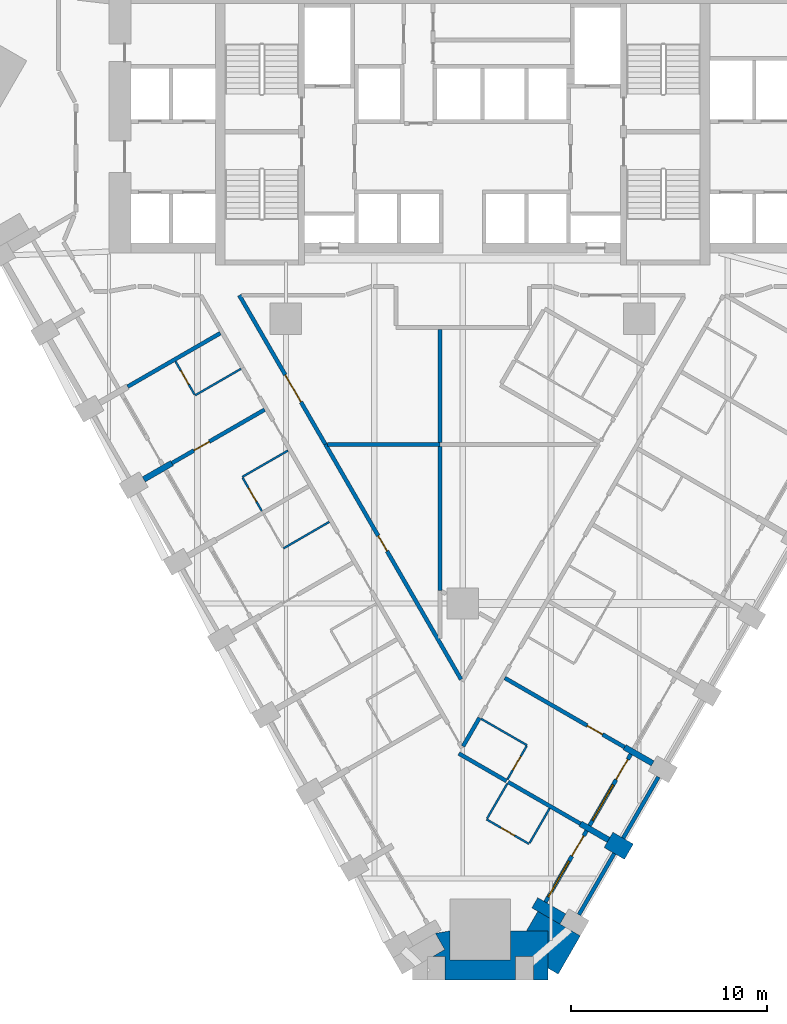
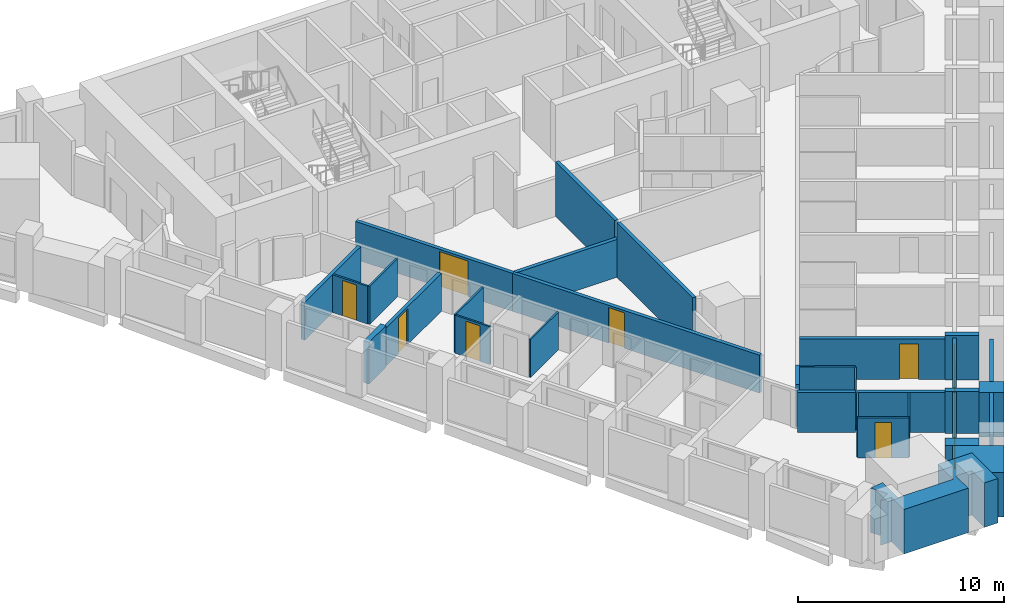
# One storey, part 4 of 12: 32 walls, 10 doors, 2 windows, 12 openings.
"""IFC4 building model written with IfcOpenShell, lengths in metres."""

import ifcopenshell
import ifcopenshell.guid

model = None  # the IFC model being written
_history = None  # IfcOwnerHistory: only IFC2X3 demands one
_inside = {}  # id of a spatial element -> (the spatial element, [elements in it])
_under = {}  # id of a project, library or spatial element -> (it, [spatial elements below it])
_declared = {}  # id of a project -> (the project, [libraries it declares])
_typed = {}  # id of a type object -> (the type object, [elements of that type])
_made_of = {}  # id of a material, layer set ... -> (it, [elements and type objects made of it])


def new_model(schema):
    """Start an empty IFC model of exactly this schema.

    Asked for "IFC4X3", IfcOpenShell would pick the latest addendum, in which some entities
    have other attributes; the version numbers below select the first issue.
    IFC2X3 requires an IfcOwnerHistory on every rooted entity: one is made here for all.
    """
    global model, _history
    if schema == "IFC4X3":
        model = ifcopenshell.file(schema_version=(4, 3, 0, 0))
    else:
        model = ifcopenshell.file(schema=schema)
    _inside.clear()
    _under.clear()
    _declared.clear()
    _typed.clear()
    _made_of.clear()
    _history = None
    if model.schema == "IFC2X3":
        org = make("IfcOrganization", Name="unknown")
        user = make(
            "IfcPersonAndOrganization",
            ThePerson=make("IfcPerson", FamilyName="unknown"),
            TheOrganization=org,
        )
        app = make(
            "IfcApplication",
            ApplicationDeveloper=org,
            Version="unknown",
            ApplicationFullName="unknown",
            ApplicationIdentifier="unknown",
        )
        _history = make(
            "IfcOwnerHistory",
            OwningUser=user,
            OwningApplication=app,
            ChangeAction="ADDED",
            CreationDate=0,
        )
    return model


def make(cls, **values):
    """One entity of the class cls with the attributes given. An attribute that is None is left unset."""
    return model.create_entity(
        cls, **{name: value for name, value in values.items() if value is not None}
    )


def rooted(cls, **values):
    """An entity with a GlobalId (a new one), such as an element, a storey or a relation."""
    return make(cls, GlobalId=ifcopenshell.guid.new(), OwnerHistory=_history, **values)


def si_unit(unit_type, name, prefix=None):
    """IfcSIUnit, for example si_unit("LENGTHUNIT", "METRE", prefix="MILLI")."""
    return make("IfcSIUnit", UnitType=unit_type, Prefix=prefix, Name=name)


def assignment(units):
    """IfcUnitAssignment: the units of a project."""
    return None if units is None else make("IfcUnitAssignment", Units=units)


def point(xyz):
    """IfcCartesianPoint."""
    return None if xyz is None else make("IfcCartesianPoint", Coordinates=xyz)


def direction(xyz):
    """IfcDirection."""
    return None if xyz is None else make("IfcDirection", DirectionRatios=xyz)


def frame(location, z_axis=None, x_axis=None):
    """IfcAxis2Placement3D, a coordinate frame: its origin and axes. An axis left out is left unset."""
    return make(
        "IfcAxis2Placement3D",
        Location=point(location),
        Axis=direction(z_axis),
        RefDirection=direction(x_axis),
    )


def frame_2d(location, x_axis=None):
    """IfcAxis2Placement2D, a coordinate frame in the plane: its origin and x axis."""
    return make(
        "IfcAxis2Placement2D", Location=point(location), RefDirection=direction(x_axis)
    )


def origin():
    """The frame at (0, 0, 0) with its axes left unset."""
    return frame((0.0, 0.0, 0.0))


def place(relative_to, where):
    """IfcLocalPlacement: puts the frame where relative to a parent placement (None: the world)."""
    return make(
        "IfcLocalPlacement", PlacementRelTo=relative_to, RelativePlacement=where
    )


def context(
    kind, dimensions, precision=None, world=None, true_north=None, identifier=None
):
    """IfcGeometricRepresentationContext, for example the 3D "Model" context."""
    return make(
        "IfcGeometricRepresentationContext",
        ContextIdentifier=identifier,
        ContextType=kind,
        CoordinateSpaceDimension=dimensions,
        Precision=precision,
        WorldCoordinateSystem=world,
        TrueNorth=true_north,
    )


def subcontext(parent, identifier, kind, view, scale=None):
    """IfcGeometricRepresentationSubContext, for example "Body" below "Model"."""
    return make(
        "IfcGeometricRepresentationSubContext",
        ContextIdentifier=identifier,
        ContextType=kind,
        ParentContext=parent,
        TargetScale=scale,
        TargetView=view,
    )


def project(units=None, contexts=None):
    """IfcProject with its units and contexts."""
    return rooted(
        "IfcProject",
        Name="project",
        RepresentationContexts=contexts,
        UnitsInContext=assignment(units),
    )


def spatial(cls, under=None, at=None, **own):
    """A site, building, storey or space (cls), placed at a placement, below another one or the project."""
    s = rooted(cls, ObjectPlacement=at, **own)
    if under is not None:
        _under.setdefault(under.id(), (under, []))[1].append(s)
    return s


def polyline(points):
    """IfcPolyline through the points."""
    return make("IfcPolyline", Points=[point(p) for p in points])


def profile(cls, at=None, kind="AREA", **sizes):
    """A parametric profile (cls). Its sizes go by their IFC names, for example OverallWidth=200.0."""
    return make(cls, ProfileType=kind, Position=at, **sizes)


def rectangle(**sizes):
    """IfcRectangleProfileDef."""
    return profile("IfcRectangleProfileDef", **sizes)


def outline(outer, holes=None, kind="AREA"):
    """IfcArbitraryClosedProfileDef: a profile drawn as a closed curve; with holes, ...WithVoids."""
    if holes is None:
        return make("IfcArbitraryClosedProfileDef", ProfileType=kind, OuterCurve=outer)
    return make(
        "IfcArbitraryProfileDefWithVoids",
        ProfileType=kind,
        OuterCurve=outer,
        InnerCurves=holes,
    )


def extrude(swept, where, along, depth):
    """IfcExtrudedAreaSolid: the profile swept, set in the frame where, extruded along a direction by depth."""
    return make(
        "IfcExtrudedAreaSolid",
        SweptArea=swept,
        Position=where,
        ExtrudedDirection=direction(along),
        Depth=depth,
    )


def shape(context_of_items, identifier, shape_type, items):
    """IfcShapeRepresentation: the items that make up one representation, for example the "Body"."""
    return make(
        "IfcShapeRepresentation",
        ContextOfItems=context_of_items,
        RepresentationIdentifier=identifier,
        RepresentationType=shape_type,
        Items=items,
    )


def material(Name=None, Category=None):
    """IfcMaterial."""
    return make("IfcMaterial", Name=Name, Category=Category)


def layer(
    of_material, thickness, ventilated=None, Name=None, Category=None, Priority=None
):
    """IfcMaterialLayer: one layer of a wall or slab, of a material (None: an air gap)."""
    return make(
        "IfcMaterialLayer",
        Material=of_material,
        LayerThickness=thickness,
        IsVentilated=ventilated,
        Name=Name,
        Category=Category,
        Priority=Priority,
    )


def layer_set(layers, Name=None):
    """IfcMaterialLayerSet."""
    return make("IfcMaterialLayerSet", MaterialLayers=layers, LayerSetName=Name)


def made_of(thing, what):
    """Note that an element or type object is made of a material, layer set ...; save() writes the relation."""
    if what is not None:
        _made_of.setdefault(what.id(), (what, []))[1].append(thing)
    return thing


def type_object(cls, material=None, **own):
    """A type object (cls), such as IfcWallType, which elements share."""
    return made_of(rooted(cls, **own), material)


def element(
    cls,
    number,
    at=None,
    inside=None,
    cuts=None,
    type_object=None,
    material=None,
    context=None,
    identifier="Body",
    shape_type=None,
    held_by="IfcProductDefinitionShape",
    body=None,
    shapes=None,
    **own,
):
    """One element of the class cls, such as IfcWall. Its Tag is "e" and its number.

    at: its placement. inside: the storey or other place that contains it. cuts: it is an
    opening in that element (IfcRelVoidsElement). A single representation is given by context,
    identifier, shape_type and body (its items); several are given by shapes. held_by: the class
    of the entity that holds the representations. save() writes the other relations.
    """
    e = rooted(cls, Tag="e%d" % number, ObjectPlacement=at, **own)
    if body is not None:
        shapes = [shape(context, identifier, shape_type, body)]
    if shapes is not None:
        e.Representation = make(held_by, Representations=shapes)
    if inside is not None:
        _inside.setdefault(inside.id(), (inside, []))[1].append(e)
    if cuts is not None:
        rooted(
            "IfcRelVoidsElement", RelatingBuildingElement=cuts, RelatedOpeningElement=e
        )
    if type_object is not None:
        _typed.setdefault(type_object.id(), (type_object, []))[1].append(e)
    return made_of(e, material)


def fill(opening, filler):
    """IfcRelFillsElement: the door or window that sits in an opening."""
    return rooted(
        "IfcRelFillsElement",
        RelatingOpeningElement=opening,
        RelatedBuildingElement=filler,
    )


def aggregate(whole, parts):
    """IfcRelAggregates: a whole, such as a stair, and the parts it consists of."""
    return rooted("IfcRelAggregates", RelatingObject=whole, RelatedObjects=parts)


def save(model, path):
    """Write the relations noted so far, then the file.

    IfcRelAggregates (storeys below a building ...), IfcRelContainedInSpatialStructure (elements
    in a storey), IfcRelDefinesByType, IfcRelAssociatesMaterial and IfcRelDeclares: one each for
    every whole, place, type object, material and project.
    """
    for whole, parts in _under.values():
        aggregate(whole, parts)
    for where, things in _inside.values():
        rooted(
            "IfcRelContainedInSpatialStructure",
            RelatedElements=things,
            RelatingStructure=where,
        )
    for kind, things in _typed.values():
        rooted("IfcRelDefinesByType", RelatedObjects=things, RelatingType=kind)
    for what, things in _made_of.values():
        rooted("IfcRelAssociatesMaterial", RelatedObjects=things, RelatingMaterial=what)
    for by, libraries in _declared.values():
        rooted("IfcRelDeclares", RelatingContext=by, RelatedDefinitions=libraries)
    model.write(path)


model = new_model("IFC4")

# Units and contexts
model_context = context("Model", 3, precision=1e-05, world=origin(), true_north=direction((0.0, 1.0)))
body_context = subcontext(model_context, "Body", "Model", "MODEL_VIEW")
ifc_project = project(units=[si_unit("LENGTHUNIT", "METRE"), si_unit("AREAUNIT", "SQUARE_METRE"), si_unit("VOLUMEUNIT", "CUBIC_METRE"), si_unit("PLANEANGLEUNIT", "RADIAN"), si_unit("MASSUNIT", "GRAM", prefix="KILO")], contexts=[model_context])

# Site, building, storey
site_placement = place(None, origin())
site = spatial("IfcSite", under=ifc_project, at=site_placement, CompositionType="ELEMENT")
building_placement = place(site_placement, origin())
building = spatial("IfcBuilding", under=site, at=building_placement, Name="Calabash Gate Tower", CompositionType="ELEMENT")
storey_placement = place(building_placement, frame((0.0, 0.0, 76.60009765625)))
storey = spatial("IfcBuildingStorey", under=building, at=storey_placement, Name="L15", CompositionType="ELEMENT", Elevation=76.60009765625)

# Walls
ifc_material_1 = material(Name="Terracotta brick masonry, exposed face", Category="masonry")
ifc_layer_1 = layer(ifc_material_1, 2.5)
ifc_layer_set_1 = layer_set([ifc_layer_1], Name="Brick corner mass wall 2500")
wall_type_1 = type_object("IfcWallType", Name="Brick corner mass wall 2500", PredefinedType="SOLIDWALL", material=ifc_layer_set_1)
wall_1_placement = place(storey_placement, origin())
element("IfcWall", 1, at=wall_1_placement, inside=storey, type_object=wall_type_1, Name="Brick corner pier S04 2bb", PredefinedType="SOLIDWALL", context=body_context, shape_type="SweptSolid", body=[
    extrude(outline(polyline([(-0.653076171875, -30.14599609375), (-0.653076171875, -28.673828125), (-1.388671875, -28.799560546875), (-0.912841796875, -29.6240234375), (-1.51904296875, -29.97412109375), (-0.903076171875, -29.97412109375), (-0.903076171875, -31.173828125), (2.697021484375, -31.173828125), (2.697021484375, -29.97412109375), (3.596923828125, -29.97412109375), (3.596923828125, -31.173828125), (4.34814453125, -31.173828125), (4.34814453125, -28.673828125), (2.447021484375, -28.673828125), (2.447021484375, -30.14599609375), (-0.653076171875, -30.14599609375)])), origin(), (0.0, 0.0, 1.0), 2.6298828125),
])
wall_2_placement = place(storey_placement, origin())
element("IfcWall", 2, at=wall_2_placement, inside=storey, type_object=wall_type_1, Name="Brick corner pier S04 2c", PredefinedType="SOLIDWALL", context=body_context, shape_type="SweptSolid", body=[
    extrude(outline(polyline([(5.99169921875, -28.9267578125), (3.8271484375, -27.676513671875), (3.251220703125, -28.673828125), (4.34814453125, -28.673828125), (4.34814453125, -30.573974609375), (4.86767578125, -30.8740234375), (5.99169921875, -28.9267578125)])), origin(), (0.0, 0.0, 1.0), 2.6298828125),
])
ifc_material_2 = material(Name="Terracotta brick masonry, exposed face", Category="masonry")
ifc_layer_2 = layer(ifc_material_2, 1.199951171875)
ifc_layer_set_2 = layer_set([ifc_layer_2], Name="Brick end wall 1200")
wall_type_2 = type_object("IfcWallType", Name="Brick end wall 1200", PredefinedType="SOLIDWALL", material=ifc_layer_set_2)
wall_3_placement = place(storey_placement, frame((8.467041015625, -24.6396484375, 0.0), z_axis=(0.0, 0.0, 1.0), x_axis=(-0.865955154139, 0.50012165622, 0.0)))
element("IfcWall", 3, at=wall_3_placement, inside=storey, type_object=wall_type_2, Name="Brick pier S04 SE2.1", PredefinedType="SOLIDWALL", context=body_context, shape_type="SweptSolid", body=[
    extrude(rectangle(XDim=1.199951171875, YDim=0.89990234375, at=frame_2d((0.60009765625, 0.0))), origin(), (0.0, 0.0, 1.0), 2.6298828125),
])
ifc_material_3 = material(Name="Terracotta brick masonry, exposed face", Category="masonry")
ifc_layer_3 = layer(ifc_material_3, 0.300048828125)
ifc_layer_set_3 = layer_set([ifc_layer_3], Name="Brick loggia cheek wall 300")
wall_type_3 = type_object("IfcWallType", Name="Brick loggia cheek wall 300", PredefinedType="SOLIDWALL", material=ifc_layer_set_3)
wall_4_placement = place(storey_placement, frame((-16.239501953125, -5.67724609375, 0.0), z_axis=(0.0, 0.0, 1.0), x_axis=(0.866040211805, 0.499974350878, 0.0)))
element("IfcWall", 4, at=wall_4_placement, inside=storey, type_object=wall_type_3, Name="Loggia cheek S04 SW0.3", PredefinedType="SOLIDWALL", context=body_context, shape_type="SweptSolid", body=[
    extrude(rectangle(XDim=1.64990234375, YDim=0.300048828125, at=frame_2d((0.824951171875, 0.0))), origin(), (0.0, 0.0, 1.0), 2.473388671875),
])
wall_5_placement = place(storey_placement, frame((5.1025390625, -28.066650390625, 0.0), z_axis=(0.0, 0.0, 1.0), x_axis=(-0.866003217194, 0.500038426333, 0.0)))
element("IfcWall", 5, at=wall_5_placement, inside=storey, type_object=wall_type_3, Name="Loggia cheek S04 SE2.0", PredefinedType="SOLIDWALL", context=body_context, shape_type="SweptSolid", body=[
    extrude(rectangle(XDim=1.649658203125, YDim=0.60009765625, at=frame_2d((0.82470703125, 0.0))), origin(), (0.0, 0.0, 1.0), 2.64990234375),
])
wall_6_placement = place(storey_placement, frame((7.427978515625, -24.03955078125, 0.0), z_axis=(0.0, 0.0, 1.0), x_axis=(-0.866040211805, 0.499974350878, 0.0)))
element("IfcWall", 6, at=wall_6_placement, inside=storey, type_object=wall_type_3, Name="Loggia cheek S04 SE2.1", PredefinedType="SOLIDWALL", context=body_context, shape_type="SweptSolid", body=[
    extrude(rectangle(XDim=1.64990234375, YDim=0.300048828125, at=frame_2d((0.824951171875, 0.0))), origin(), (0.0, 0.0, 1.0), 2.473388671875),
])
wall_7_placement = place(storey_placement, frame((9.677734375, -20.142578125, 0.0), z_axis=(0.0, 0.0, 1.0), x_axis=(-0.866003217194, 0.500038426333, 0.0)))
element("IfcWall", 7, at=wall_7_placement, inside=storey, type_object=wall_type_3, Name="Loggia cheek S04 SE2.2", PredefinedType="SOLIDWALL", context=body_context, shape_type="SweptSolid", body=[
    extrude(rectangle(XDim=1.649658203125, YDim=0.300048828125, at=frame_2d((0.82470703125, 0.0))), origin(), (0.0, 0.0, 1.0), 2.6279296875),
])
ifc_material_4 = material(Name="Gypsum board on steel studs, mineral wool", Category="steel")
ifc_layer_4 = layer(ifc_material_4, 0.10009765625)
ifc_layer_set_4 = layer_set([ifc_layer_4], Name="Partition 100 gypsum board")
wall_type_4 = type_object("IfcWallType", Name="Partition 100 gypsum board", PredefinedType="PARTITIONING", material=ifc_layer_set_4)
wall_8_placement = place(storey_placement, frame((3.408203125, -24.2021484375, 0.0), z_axis=(0.0, 0.0, 1.0), x_axis=(0.499303169309, 0.866427345551, 0.0)))
element("IfcWall", 8, at=wall_8_placement, inside=storey, type_object=wall_type_4, Name="Partition", PredefinedType="PARTITIONING", context=body_context, shape_type="SweptSolid", body=[
    extrude(rectangle(XDim=2.05029296875, YDim=0.10009765625, at=frame_2d((1.025146484375, 0.0))), origin(), (0.0, 0.0, 1.0), 2.384033203125),
])

# Wall, opening, door
wall_9_placement = place(storey_placement, frame((1.218017578125, -22.995361328125, 0.0), z_axis=(0.0, 0.0, 1.0), x_axis=(0.866047370643, -0.499961950354, 0.0)))
wall_9 = element("IfcWall", 9, at=wall_9_placement, inside=storey, type_object=wall_type_4, Name="Partition", PredefinedType="PARTITIONING", context=body_context, shape_type="SweptSolid", body=[
    extrude(rectangle(XDim=2.500244140625, YDim=0.10009765625, at=frame_2d((1.25, 0.0))), origin(), (0.0, 0.0, 1.0), 2.384033203125),
])
opening_1_placement = place(wall_9_placement, frame((0.85009765625, 0.0, 0.0)))
opening_1 = element("IfcOpeningElement", 10, at=opening_1_placement, cuts=wall_9, Name="Opening 15-17-031", PredefinedType="OPENING", context=body_context, shape_type="SweptSolid", body=[
    extrude(rectangle(XDim=0.800048828125, YDim=2.10009765625, at=frame_2d((0.39990234375, 1.050048828125))), frame((0.0, 0.06005859375, 0.0), z_axis=(0.0, -1.0, 0.0), x_axis=(1.0, 0.0, 0.0)), (0.0, 0.0, 1.0), 0.1201171875),
])
ifc_material_5 = material(Name="Painted timber door", Category="wood")
door_type_1 = type_object("IfcDoorType", Name="GD5 En-suite door 800x2100", OperationType="NOTDEFINED", PredefinedType="DOOR", material=ifc_material_5)
door_1_placement = place(opening_1_placement, origin())
door_1 = element("IfcDoor", 11, at=door_1_placement, inside=storey, type_object=door_type_1, Name="En-suite door", OperationType="SINGLE_SWING_RIGHT", OverallHeight=2.10009765625, OverallWidth=0.800048828125, PredefinedType="DOOR", context=body_context, shape_type="SweptSolid", body=[
    extrude(rectangle(XDim=0.800048828125, YDim=2.10009765625, at=frame_2d((0.39990234375, 1.050048828125))), frame((0.0, 0.02490234375, 0.0), z_axis=(0.0, -1.0, 0.0), x_axis=(1.0, 0.0, 0.0)), (0.0, 0.0, 1.0), 0.050048828125),
])
fill(opening_1, door_1)

# Wall
wall_10_placement = place(storey_placement, frame((1.2431640625, -22.9521484375, 0.0), z_axis=(0.0, 0.0, 1.0), x_axis=(0.500646589026, 0.865651773461, 0.0)))
element("IfcWall", 12, at=wall_10_placement, inside=storey, type_object=wall_type_4, Name="Partition", PredefinedType="PARTITIONING", context=body_context, shape_type="SweptSolid", body=[
    extrude(rectangle(XDim=2.050048828125, YDim=0.10009765625, at=frame_2d((1.02490234375, 0.0))), origin(), (0.0, 0.0, 1.0), 2.384033203125),
])

# Wall, opening, door
wall_11_placement = place(storey_placement, frame((2.2802734375, -20.952392578125, 0.0), z_axis=(0.0, 0.0, 1.0), x_axis=(0.500675951608, 0.865634791053, 0.0)))
wall_11 = element("IfcWall", 13, at=wall_11_placement, inside=storey, type_object=wall_type_4, Name="Partition", PredefinedType="PARTITIONING", context=body_context, shape_type="SweptSolid", body=[
    extrude(rectangle(XDim=1.949951171875, YDim=0.10009765625, at=frame_2d((0.97509765625, 0.0))), origin(), (0.0, 0.0, 1.0), 2.384033203125),
])
opening_2_placement = place(wall_11_placement, frame((0.550048828125, 0.0, 0.0)))
opening_2 = element("IfcOpeningElement", 14, at=opening_2_placement, cuts=wall_11, Name="Opening 15-17-014", PredefinedType="OPENING", context=body_context, shape_type="SweptSolid", body=[
    extrude(rectangle(XDim=0.800048828125, YDim=2.10009765625, at=frame_2d((0.39990234375, 1.050048828125))), frame((0.0, 0.06005859375, 0.0), z_axis=(0.0, -1.0, 0.0), x_axis=(1.0, 0.0, 0.0)), (0.0, 0.0, 1.0), 0.1201171875),
])
door_2_placement = place(opening_2_placement, origin())
door_2 = element("IfcDoor", 15, at=door_2_placement, inside=storey, type_object=door_type_1, Name="En-suite door", OperationType="SINGLE_SWING_LEFT", OverallHeight=2.10009765625, OverallWidth=0.800048828125, PredefinedType="DOOR", context=body_context, shape_type="SweptSolid", body=[
    extrude(rectangle(XDim=0.800048828125, YDim=2.10009765625, at=frame_2d((0.39990234375, 1.050048828125))), frame((0.0, 0.02490234375, 0.0), z_axis=(0.0, -1.0, 0.0), x_axis=(1.0, 0.0, 0.0)), (0.0, 0.0, 1.0), 0.050048828125),
])
fill(opening_2, door_2)

# Walls
wall_12_placement = place(storey_placement, frame((0.94287109375, -17.87255859375, 0.0), z_axis=(0.0, 0.0, 1.0), x_axis=(0.866339109022, -0.499456252518, 0.0)))
element("IfcWall", 16, at=wall_12_placement, inside=storey, type_object=wall_type_4, Name="Partition", PredefinedType="PARTITIONING", context=body_context, shape_type="SweptSolid", body=[
    extrude(rectangle(XDim=2.69970703125, YDim=0.10009765625, at=frame_2d((1.349853515625, 0.0))), origin(), (0.0, 0.0, 1.0), 2.384033203125),
])
wall_13_placement = place(storey_placement, frame((-9.12890625, -9.193115234375, 0.0), z_axis=(0.0, 0.0, 1.0), x_axis=(0.865671764241, 0.500612022024, 0.0)))
element("IfcWall", 17, at=wall_13_placement, inside=storey, type_object=wall_type_4, Name="Partition", PredefinedType="PARTITIONING", context=body_context, shape_type="SweptSolid", body=[
    extrude(rectangle(XDim=2.69970703125, YDim=0.10009765625, at=frame_2d((1.349853515625, 0.0))), origin(), (0.0, 0.0, 1.0), 2.24169921875),
])

# Wall, opening, door
wall_14_placement = place(storey_placement, frame((-11.2041015625, -5.59912109375, 0.0), z_axis=(0.0, 0.0, 1.0), x_axis=(0.500098182527, -0.865968710655, 0.0)))
wall_14 = element("IfcWall", 18, at=wall_14_placement, inside=storey, type_object=wall_type_4, Name="Partition", PredefinedType="PARTITIONING", context=body_context, shape_type="SweptSolid", body=[
    extrude(rectangle(XDim=1.94970703125, YDim=0.10009765625, at=frame_2d((0.974853515625, 0.0))), origin(), (0.0, 0.0, 1.0), 2.24169921875),
])
opening_3_placement = place(wall_14_placement, frame((0.60009765625, 0.0, 0.0)))
opening_3 = element("IfcOpeningElement", 19, at=opening_3_placement, cuts=wall_14, Name="Opening 15-17-004", PredefinedType="OPENING", context=body_context, shape_type="SweptSolid", body=[
    extrude(rectangle(XDim=0.800048828125, YDim=2.10009765625, at=frame_2d((0.39990234375, 1.050048828125))), frame((0.0, 0.06005859375, 0.0), z_axis=(0.0, -1.0, 0.0), x_axis=(1.0, 0.0, 0.0)), (0.0, 0.0, 1.0), 0.1201171875),
])
door_3_placement = place(opening_3_placement, origin())
door_3 = element("IfcDoor", 20, at=door_3_placement, inside=storey, type_object=door_type_1, Name="En-suite door", OperationType="SINGLE_SWING_RIGHT", OverallHeight=2.10009765625, OverallWidth=0.800048828125, PredefinedType="DOOR", context=body_context, shape_type="SweptSolid", body=[
    extrude(rectangle(XDim=0.800048828125, YDim=2.10009765625, at=frame_2d((0.39990234375, 1.050048828125))), frame((0.0, 0.02490234375, 0.0), z_axis=(0.0, -1.0, 0.0), x_axis=(1.0, 0.0, 0.0)), (0.0, 0.0, 1.0), 0.050048828125),
])
fill(opening_3, door_3)

# Walls
for number, where, z_axis, x_axis, name in (
    (21, (-11.22900390625, -5.5556640625, 0.0), (0.0, 0.0, 1.0), (0.866339109022, 0.499456252518, 0.0), "Partition"),
    (22, (-13.62890625, -1.398681640625, 0.0), (0.0, 0.0, 1.0), (0.86571095196, 0.500544251447, 0.0), "Partition"),
):
    element("IfcWall", number, at=place(storey_placement, frame(where, z_axis=z_axis, x_axis=x_axis)), inside=storey, type_object=wall_type_4, Name=name, PredefinedType="PARTITIONING", context=body_context, shape_type="SweptSolid", body=[
        extrude(rectangle(XDim=2.69970703125, YDim=0.10009765625, at=frame_2d((1.349853515625, 0.0))), origin(), (0.0, 0.0, 1.0), 2.24169921875),
    ])

# Wall, opening, door
wall_15_placement = place(storey_placement, frame((-14.627685546875, 0.333984375, 0.0), z_axis=(0.0, 0.0, 1.0), x_axis=(0.499317740681, -0.866418948224, 0.0)))
wall_15 = element("IfcWall", 23, at=wall_15_placement, inside=storey, type_object=wall_type_4, Name="Partition", PredefinedType="PARTITIONING", context=body_context, shape_type="SweptSolid", body=[
    extrude(rectangle(XDim=1.949951171875, YDim=0.10009765625, at=frame_2d((0.97509765625, 0.0))), origin(), (0.0, 0.0, 1.0), 2.24169921875),
])
opening_4_placement = place(wall_15_placement, frame((0.550048828125, 0.0, 0.0)))
opening_4 = element("IfcOpeningElement", 24, at=opening_4_placement, cuts=wall_15, Name="Opening 15-17-002", PredefinedType="OPENING", context=body_context, shape_type="SweptSolid", body=[
    extrude(rectangle(XDim=0.800048828125, YDim=2.10009765625, at=frame_2d((0.39990234375, 1.050048828125))), frame((0.0, 0.06005859375, 0.0), z_axis=(0.0, -1.0, 0.0), x_axis=(1.0, 0.0, 0.0)), (0.0, 0.0, 1.0), 0.1201171875),
])
door_4_placement = place(opening_4_placement, origin())
door_4 = element("IfcDoor", 25, at=door_4_placement, inside=storey, type_object=door_type_1, Name="En-suite door", OperationType="SINGLE_SWING_LEFT", OverallHeight=2.10009765625, OverallWidth=0.800048828125, PredefinedType="DOOR", context=body_context, shape_type="SweptSolid", body=[
    extrude(rectangle(XDim=0.800048828125, YDim=2.10009765625, at=frame_2d((0.39990234375, 1.050048828125))), frame((0.0, 0.02490234375, 0.0), z_axis=(0.0, -1.0, 0.0), x_axis=(1.0, 0.0, 0.0)), (0.0, 0.0, 1.0), 0.050048828125),
])
fill(opening_4, door_4)

# Walls
ifc_material_6 = material(Name="Gypsum board on steel studs, mineral wool", Category="steel")
ifc_layer_5 = layer(ifc_material_6, 0.199951171875)
ifc_layer_set_5 = layer_set([ifc_layer_5], Name="Partition 200 gypsum board EI 60")
wall_type_5 = type_object("IfcWallType", Name="Partition 200 gypsum board EI 60", PredefinedType="PARTITIONING", material=ifc_layer_set_5)
wall_16_placement = place(storey_placement, frame((2.3173828125, -21.09130859375, 0.0), z_axis=(0.0, 0.0, 1.0), x_axis=(0.866014341725, -0.50001915956, 0.0)))
element("IfcWall", 26, at=wall_16_placement, inside=storey, type_object=wall_type_5, Name="Partition", PredefinedType="PARTITIONING", context=body_context, shape_type="SweptSolid", body=[
    extrude(rectangle(XDim=4.249755859375, YDim=0.199951171875, at=frame_2d((2.125, 0.0))), origin(), (0.0, 0.0, 1.0), 2.384033203125),
])
wall_17_placement = place(storey_placement, frame((-0.193359375, -19.64013671875, 0.0), z_axis=(0.0, 0.0, 1.0), x_axis=(0.866036131362, -0.49998141883, 0.0)))
element("IfcWall", 27, at=wall_17_placement, inside=storey, type_object=wall_type_5, Name="Partition", PredefinedType="PARTITIONING", context=body_context, shape_type="SweptSolid", body=[
    extrude(rectangle(XDim=2.8017578125, YDim=0.199951171875, at=frame_2d((1.40087890625, 0.0))), origin(), (0.0, 0.0, 1.0), 2.384033203125),
])
wall_18_placement = place(storey_placement, frame((0.02099609375, -19.268798828125, 0.0), z_axis=(0.0, 0.0, 1.0), x_axis=(0.501053540398, 0.865416286913, 0.0)))
element("IfcWall", 28, at=wall_18_placement, inside=storey, type_object=wall_type_5, Name="Partition", PredefinedType="PARTITIONING", context=body_context, shape_type="SweptSolid", body=[
    extrude(rectangle(XDim=1.671875, YDim=0.199951171875, at=frame_2d((0.8359375, 0.0))), origin(), (0.0, 0.0, 1.0), 2.473388671875),
])

# Wall, opening, door
wall_19_placement = place(storey_placement, frame((2.14453125, -15.791015625, 0.0), z_axis=(0.0, 0.0, 1.0), x_axis=(0.865906406618, -0.500206052519, 0.0)))
wall_19 = element("IfcWall", 29, at=wall_19_placement, inside=storey, type_object=wall_type_5, Name="Partition", PredefinedType="PARTITIONING", context=body_context, shape_type="SweptSolid", body=[
    extrude(rectangle(XDim=7.0498046875, YDim=0.199951171875, at=frame_2d((3.52490234375, 0.0))), origin(), (0.0, 0.0, 1.0), 2.384033203125),
])
opening_5_placement = place(wall_19_placement, frame((4.849853515625, 0.0, 0.0)))
opening_5 = element("IfcOpeningElement", 30, at=opening_5_placement, cuts=wall_19, Name="Opening 15-17-017", PredefinedType="OPENING", context=body_context, shape_type="SweptSolid", body=[
    extrude(rectangle(XDim=0.89990234375, YDim=2.10009765625, at=frame_2d((0.449951171875, 1.050048828125))), frame((0.0, 0.10986328125, 0.0), z_axis=(0.0, -1.0, 0.0), x_axis=(1.0, 0.0, 0.0)), (0.0, 0.0, 1.0), 0.219970703125),
])
ifc_material_7 = material(Name="Steel fire door set with fire-resisting glazing", Category="steel")
door_type_2 = type_object("IfcDoorType", Name="GD4 Connecting door 900x2100", OperationType="NOTDEFINED", PredefinedType="DOOR", material=ifc_material_7)
door_5_placement = place(opening_5_placement, origin())
door_5 = element("IfcDoor", 31, at=door_5_placement, inside=storey, type_object=door_type_2, Name="Connecting door", OperationType="SINGLE_SWING_RIGHT", OverallHeight=2.10009765625, OverallWidth=0.89990234375, PredefinedType="DOOR", context=body_context, shape_type="SweptSolid", body=[
    extrude(rectangle(XDim=0.89990234375, YDim=2.10009765625, at=frame_2d((0.449951171875, 1.050048828125))), frame((0.0, 0.02490234375, 0.0), z_axis=(0.0, -1.0, 0.0), x_axis=(1.0, 0.0, 0.0)), (0.0, 0.0, 1.0), 0.050048828125),
])
fill(opening_5, door_5)

# Wall
wall_20_placement = place(storey_placement, frame((-1.16162109375, -11.327392578125, 0.0), z_axis=(0.0, 0.0, 1.0), x_axis=(0.0, 1.0, 0.0)))
element("IfcWall", 32, at=wall_20_placement, inside=storey, type_object=wall_type_5, Name="Partition", PredefinedType="PARTITIONING", context=body_context, shape_type="SweptSolid", body=[
    extrude(rectangle(XDim=7.3349609375, YDim=0.199951171875, at=frame_2d((3.66748046875, 0.0))), origin(), (0.0, 0.0, 1.0), 3.22998046875),
])

# Wall, opening, door
wall_21_placement = place(storey_placement, frame((-6.99072265625, -3.892578125, 0.0), z_axis=(0.0, 0.0, 1.0), x_axis=(0.499865112403, -0.86610326717, 0.0)))
wall_21 = element("IfcWall", 33, at=wall_21_placement, inside=storey, type_object=wall_type_5, Name="Partition", PredefinedType="PARTITIONING", context=body_context, shape_type="SweptSolid", body=[
    extrude(rectangle(XDim=13.826904296875, YDim=0.199951171875, at=frame_2d((6.91357421875, 0.0))), origin(), (0.0, 0.0, 1.0), 2.24169921875),
])
opening_6_placement = place(wall_21_placement, frame((5.377197265625, 0.0, 0.0)))
opening_6 = element("IfcOpeningElement", 34, at=opening_6_placement, cuts=wall_21, Name="Opening 15-17-028", PredefinedType="OPENING", context=body_context, shape_type="SweptSolid", body=[
    extrude(rectangle(XDim=0.89990234375, YDim=2.10009765625, at=frame_2d((0.449951171875, 1.050048828125))), frame((0.0, 0.10986328125, 0.0), z_axis=(0.0, -1.0, 0.0), x_axis=(1.0, 0.0, 0.0)), (0.0, 0.0, 1.0), 0.219970703125),
])
ifc_material_8 = material(Name="Steel fire door set with fire-resisting glazing", Category="steel")
door_type_3 = type_object("IfcDoorType", Name="SD3 Store door 900x2100", OperationType="NOTDEFINED", PredefinedType="DOOR", material=ifc_material_8)
door_6_placement = place(opening_6_placement, origin())
door_6 = element("IfcDoor", 35, at=door_6_placement, inside=storey, type_object=door_type_3, Name="Store door", OperationType="SINGLE_SWING_LEFT", OverallHeight=2.10009765625, OverallWidth=0.89990234375, PredefinedType="DOOR", context=body_context, shape_type="SweptSolid", body=[
    extrude(rectangle(XDim=0.89990234375, YDim=2.10009765625, at=frame_2d((0.449951171875, 1.050048828125))), frame((0.0, 0.02490234375, 0.0), z_axis=(0.0, -1.0, 0.0), x_axis=(1.0, 0.0, 0.0)), (0.0, 0.0, 1.0), 0.050048828125),
])
fill(opening_6, door_6)

# Walls
wall_22_placement = place(storey_placement, frame((-6.890869140625, -3.892578125, 0.0), z_axis=(0.0, 0.0, 1.0), x_axis=(1.0, 0.0, 0.0)))
element("IfcWall", 36, at=wall_22_placement, inside=storey, type_object=wall_type_5, Name="Partition", PredefinedType="PARTITIONING", context=body_context, shape_type="SweptSolid", body=[
    extrude(rectangle(XDim=5.727294921875, YDim=0.199951171875, at=frame_2d((2.86376953125, 0.0))), origin(), (0.0, 0.0, 1.0), 2.24169921875),
])
wall_23_placement = place(storey_placement, frame((-1.16162109375, -3.79052734375, 0.0), z_axis=(0.0, 0.0, 1.0), x_axis=(0.0, 1.0, 0.0)))
element("IfcWall", 37, at=wall_23_placement, inside=storey, type_object=wall_type_5, Name="Partition", PredefinedType="PARTITIONING", context=body_context, shape_type="SweptSolid", body=[
    extrude(rectangle(XDim=5.742919921875, YDim=0.199951171875, at=frame_2d((2.87158203125, 0.0))), origin(), (0.0, 0.0, 1.0), 3.22998046875),
])

# Wall, opening, door
wall_24_placement = place(storey_placement, frame((-14.810546875, -4.852294921875, 0.0), z_axis=(0.0, 0.0, 1.0), x_axis=(0.866193043817, 0.499709526468, 0.0)))
wall_24 = element("IfcWall", 38, at=wall_24_placement, inside=storey, type_object=wall_type_5, Name="Partition", PredefinedType="PARTITIONING", context=body_context, shape_type="SweptSolid", body=[
    extrude(rectangle(XDim=5.449951171875, YDim=0.199951171875, at=frame_2d((2.72509765625, 0.0))), origin(), (0.0, 0.0, 1.0), 2.24169921875),
])
opening_7_placement = place(wall_24_placement, frame((1.300048828125, 0.0, 0.0)))
opening_7 = element("IfcOpeningElement", 39, at=opening_7_placement, cuts=wall_24, Name="Opening 15-17-005", PredefinedType="OPENING", context=body_context, shape_type="SweptSolid", body=[
    extrude(rectangle(XDim=0.89990234375, YDim=2.10009765625, at=frame_2d((0.449951171875, 1.050048828125))), frame((0.0, 0.10986328125, 0.0), z_axis=(0.0, -1.0, 0.0), x_axis=(1.0, 0.0, 0.0)), (0.0, 0.0, 1.0), 0.219970703125),
])
door_7_placement = place(opening_7_placement, origin())
door_7 = element("IfcDoor", 40, at=door_7_placement, inside=storey, type_object=door_type_2, Name="Connecting door", OperationType="SINGLE_SWING_RIGHT", OverallHeight=2.10009765625, OverallWidth=0.89990234375, PredefinedType="DOOR", context=body_context, shape_type="SweptSolid", body=[
    extrude(rectangle(XDim=0.89990234375, YDim=2.10009765625, at=frame_2d((0.449951171875, 1.050048828125))), frame((0.0, 0.02490234375, 0.0), z_axis=(0.0, -1.0, 0.0), x_axis=(1.0, 0.0, 0.0)), (0.0, 0.0, 1.0), 0.050048828125),
])
fill(opening_7, door_7)

# Wall
wall_25_placement = place(storey_placement, frame((-17.060791015625, -0.95458984375, 0.0), z_axis=(0.0, 0.0, 1.0), x_axis=(0.866031107881, 0.499990120084, 0.0)))
element("IfcWall", 41, at=wall_25_placement, inside=storey, type_object=wall_type_5, Name="Partition", PredefinedType="PARTITIONING", context=body_context, shape_type="SweptSolid", body=[
    extrude(rectangle(XDim=5.44775390625, YDim=0.199951171875, at=frame_2d((2.723876953125, 0.0))), origin(), (0.0, 0.0, 1.0), 2.24169921875),
])

# Wall, opening, door
wall_26_placement = place(storey_placement, frame((-11.376220703125, 3.69970703125, 0.0), z_axis=(0.0, 0.0, 1.0), x_axis=(0.500182929981, -0.865919763347, 0.0)))
wall_26 = element("IfcWall", 42, at=wall_26_placement, inside=storey, type_object=wall_type_5, Name="Partition", PredefinedType="PARTITIONING", context=body_context, shape_type="SweptSolid", body=[
    extrude(rectangle(XDim=8.765380859375, YDim=0.199951171875, at=frame_2d((4.3828125, 0.0))), origin(), (0.0, 0.0, 1.0), 2.24169921875),
])
opening_8_placement = place(wall_26_placement, frame((4.68310546875, 0.0, 0.0)))
opening_8 = element("IfcOpeningElement", 43, at=opening_8_placement, cuts=wall_26, Name="Opening 15-17-027", PredefinedType="OPENING", context=body_context, shape_type="SweptSolid", body=[
    extrude(rectangle(XDim=1.60009765625, YDim=2.10009765625, at=frame_2d((0.800048828125, 1.050048828125))), frame((0.0, 0.10986328125, 0.0), z_axis=(0.0, -1.0, 0.0), x_axis=(1.0, 0.0, 0.0)), (0.0, 0.0, 1.0), 0.219970703125),
])
ifc_material_9 = material(Name="Steel fire door set with fire-resisting glazing", Category="steel")
door_type_4 = type_object("IfcDoorType", Name="LD1 Lounge double door 1600x2100", OperationType="NOTDEFINED", PredefinedType="DOOR", material=ifc_material_9)
door_8_placement = place(opening_8_placement, origin())
door_8 = element("IfcDoor", 44, at=door_8_placement, inside=storey, type_object=door_type_4, Name="Lounge double door", OperationType="DOUBLE_DOOR_SINGLE_SWING", OverallHeight=2.10009765625, OverallWidth=1.60009765625, PredefinedType="DOOR", context=body_context, shape_type="SweptSolid", body=[
    extrude(rectangle(XDim=1.60009765625, YDim=2.10009765625, at=frame_2d((0.800048828125, 1.050048828125))), frame((0.0, 0.02490234375, 0.0), z_axis=(0.0, -1.0, 0.0), x_axis=(1.0, 0.0, 0.0)), (0.0, 0.0, 1.0), 0.050048828125),
])
fill(opening_8, door_8)

# Walls
ifc_material_10 = material(Name="Terracotta brick masonry, perforated", Category="masonry")
ifc_layer_6 = layer(ifc_material_10, 0.199951171875)
ifc_layer_set_6 = layer_set([ifc_layer_6], Name="Terracotta jaali screen B")
wall_type_6 = type_object("IfcWallType", Name="Terracotta jaali screen B", PredefinedType="SOLIDWALL", material=ifc_layer_set_6)
wall_27_placement = place(storey_placement, frame((5.92236328125, -27.84716796875, 0.0), z_axis=(0.0, 0.0, 1.0), x_axis=(0.500012057535, 0.866018442252, 0.0)))
element("IfcWall", 45, at=wall_27_placement, inside=storey, type_object=wall_type_6, Name="SCREEN B S04 SE2.1", PredefinedType="SOLIDWALL", context=body_context, shape_type="SweptSolid", body=[
    extrude(rectangle(XDim=3.60009765625, YDim=0.199951171875, at=frame_2d((1.800048828125, 0.0))), origin(), (0.0, 0.0, 1.0), 2.6298828125),
])
wall_28_placement = place(storey_placement, origin())
element("IfcWall", 46, at=wall_28_placement, inside=storey, type_object=wall_type_6, Name="SCREEN B S04 SE2.2", PredefinedType="SOLIDWALL", context=body_context, shape_type="SweptSolid", body=[
    extrude(outline(polyline([(8.259033203125, -24.0), (10.058837890625, -20.8828125), (9.885498046875, -20.78271484375), (8.0859375, -23.89990234375), (8.259033203125, -24.0)])), origin(), (0.0, 0.0, 1.0), 2.6298828125),
])

# Wall, openings, door, window
ifc_material_11 = material(Name="Aluminium framed window wall with insulated spandrel", Category="aluminium")
ifc_layer_7 = layer(ifc_material_11, 0.199951171875)
ifc_layer_set_7 = layer_set([ifc_layer_7], Name="Window wall 200")
wall_type_7 = type_object("IfcWallType", Name="Window wall 200", PredefinedType="ELEMENTEDWALL", material=ifc_layer_set_7)
wall_29_placement = place(storey_placement, frame((4.213623046875, -27.206787109375, 0.0), z_axis=(0.0, 0.0, 1.0), x_axis=(0.500027713859, 0.866009402589, 0.0)))
wall_29 = element("IfcWall", 47, at=wall_29_placement, inside=storey, type_object=wall_type_7, Name="Window wall S04 SE2.1", PredefinedType="ELEMENTEDWALL", context=body_context, shape_type="SweptSolid", body=[
    extrude(rectangle(XDim=4.199951171875, YDim=0.199951171875, at=frame_2d((2.10009765625, 0.0))), origin(), (0.0, 0.0, 1.0), 2.449951171875),
])
opening_9_placement = place(wall_29_placement, frame((0.300048828125, 0.0, 0.60009765625)))
opening_9 = element("IfcOpeningElement", 48, at=opening_9_placement, cuts=wall_29, Name="Opening HW1L-1750", PredefinedType="OPENING", context=body_context, shape_type="SweptSolid", body=[
    extrude(rectangle(XDim=2.10009765625, YDim=1.75, at=frame_2d((1.050048828125, 0.875))), frame((0.0, 0.10986328125, 0.0), z_axis=(0.0, -1.0, 0.0), x_axis=(1.0, 0.0, 0.0)), (0.0, 0.0, 1.0), 0.219970703125),
])
opening_10_placement = place(wall_29_placement, frame((2.699951171875, 0.0, 0.0)))
opening_10 = element("IfcOpeningElement", 49, at=opening_10_placement, cuts=wall_29, Name="Opening H4-018", PredefinedType="OPENING", context=body_context, shape_type="SweptSolid", body=[
    extrude(rectangle(XDim=1.199951171875, YDim=2.35009765625, at=frame_2d((0.60009765625, 1.175048828125))), frame((0.0, 0.10986328125, 0.0), z_axis=(0.0, -1.0, 0.0), x_axis=(1.0, 0.0, 0.0)), (0.0, 0.0, 1.0), 0.219970703125),
])
ifc_material_12 = material(Name="Anodised aluminium frame, bronze finish, impact-rated laminated clear glazing", Category="aluminium")
door_type_5 = type_object("IfcDoorType", Name="Loggia door DH1L-2350 1200x2350", OperationType="SLIDING_TO_LEFT", PredefinedType="DOOR", material=ifc_material_12)
door_9_placement = place(opening_10_placement, origin())
door_9 = element("IfcDoor", 50, at=door_9_placement, inside=storey, type_object=door_type_5, Name="Loggia door S04 SE2.1", OperationType="SINGLE_SWING_LEFT", OverallHeight=2.35009765625, OverallWidth=1.199951171875, PredefinedType="DOOR", context=body_context, shape_type="SweptSolid", body=[
    extrude(rectangle(XDim=1.199951171875, YDim=2.35009765625, at=frame_2d((0.60009765625, 1.175048828125))), frame((0.0, 0.02490234375, 0.0), z_axis=(0.0, -1.0, 0.0), x_axis=(1.0, 0.0, 0.0)), (0.0, 0.0, 1.0), 0.050048828125),
])
fill(opening_10, door_9)
ifc_material_13 = material(Name="Anodised aluminium frame, bronze finish, impact-rated laminated clear glazing", Category="aluminium")
window_type_1 = type_object("IfcWindowType", Name="Window HW1L 2100x1750", PartitioningType="DOUBLE_PANEL_VERTICAL", PredefinedType="WINDOW", material=ifc_material_13)
window_1_placement = place(opening_9_placement, origin())
window_1 = element("IfcWindow", 51, at=window_1_placement, inside=storey, type_object=window_type_1, Name="Window HW1 S04 SE2.1", OverallHeight=1.75, OverallWidth=2.10009765625, PartitioningType="SINGLE_PANEL", PredefinedType="WINDOW", context=body_context, shape_type="SweptSolid", body=[
    extrude(rectangle(XDim=2.10009765625, YDim=1.75, at=frame_2d((1.050048828125, 0.875))), frame((0.0, 0.030029296875, 0.0), z_axis=(0.0, -1.0, 0.0), x_axis=(1.0, 0.0, 0.0)), (0.0, 0.0, 1.0), 0.06005859375),
])
fill(opening_9, window_1)

wall_30_placement = place(storey_placement, frame((6.463623046875, -23.309814453125, 0.0), z_axis=(0.0, 0.0, 1.0), x_axis=(0.500002543286, 0.866023935413, 0.0)))
wall_30 = element("IfcWall", 52, at=wall_30_placement, inside=storey, type_object=wall_type_7, Name="Window wall S04 SE2.2", PredefinedType="ELEMENTEDWALL", context=body_context, shape_type="SweptSolid", body=[
    extrude(rectangle(XDim=4.2001953125, YDim=0.199951171875, at=frame_2d((2.10009765625, 0.0))), origin(), (0.0, 0.0, 1.0), 2.473388671875),
])
opening_11_placement = place(wall_30_placement, frame((0.300048828125, 0.0, 0.60009765625)))
opening_11 = element("IfcOpeningElement", 53, at=opening_11_placement, cuts=wall_30, Name="Opening HW1L-1770", PredefinedType="OPENING", context=body_context, shape_type="SweptSolid", body=[
    extrude(rectangle(XDim=2.10009765625, YDim=1.77001953125, at=frame_2d((1.050048828125, 0.885009765625))), frame((0.0, 0.10986328125, 0.0), z_axis=(0.0, -1.0, 0.0), x_axis=(1.0, 0.0, 0.0)), (0.0, 0.0, 1.0), 0.219970703125),
])
opening_12_placement = place(wall_30_placement, frame((2.699951171875, 0.0, 0.0)))
opening_12 = element("IfcOpeningElement", 54, at=opening_12_placement, cuts=wall_30, Name="Opening H4-019", PredefinedType="OPENING", context=body_context, shape_type="SweptSolid", body=[
    extrude(rectangle(XDim=1.199951171875, YDim=2.3701171875, at=frame_2d((0.60009765625, 1.18505859375))), frame((0.0, 0.10986328125, 0.0), z_axis=(0.0, -1.0, 0.0), x_axis=(1.0, 0.0, 0.0)), (0.0, 0.0, 1.0), 0.219970703125),
])
ifc_material_14 = material(Name="Anodised aluminium frame, bronze finish, impact-rated laminated clear glazing", Category="aluminium")
door_type_6 = type_object("IfcDoorType", Name="Loggia door DH1L-2370 1200x2370", OperationType="SLIDING_TO_LEFT", PredefinedType="DOOR", material=ifc_material_14)
door_10_placement = place(opening_12_placement, origin())
door_10 = element("IfcDoor", 55, at=door_10_placement, inside=storey, type_object=door_type_6, Name="Loggia door S04 SE2.2", OperationType="SINGLE_SWING_LEFT", OverallHeight=2.3701171875, OverallWidth=1.199951171875, PredefinedType="DOOR", context=body_context, shape_type="SweptSolid", body=[
    extrude(rectangle(XDim=1.199951171875, YDim=2.3701171875, at=frame_2d((0.60009765625, 1.18505859375))), frame((0.0, 0.02490234375, 0.0), z_axis=(0.0, -1.0, 0.0), x_axis=(1.0, 0.0, 0.0)), (0.0, 0.0, 1.0), 0.050048828125),
])
fill(opening_12, door_10)
ifc_material_15 = material(Name="Anodised aluminium frame, bronze finish, impact-rated laminated clear glazing", Category="aluminium")
window_type_2 = type_object("IfcWindowType", Name="Window HW1L 2100x1770", PartitioningType="DOUBLE_PANEL_VERTICAL", PredefinedType="WINDOW", material=ifc_material_15)
window_2_placement = place(opening_11_placement, origin())
window_2 = element("IfcWindow", 56, at=window_2_placement, inside=storey, type_object=window_type_2, Name="Window HW1 S04 SE2.2", OverallHeight=1.77001953125, OverallWidth=2.10009765625, PartitioningType="SINGLE_PANEL", PredefinedType="WINDOW", context=body_context, shape_type="SweptSolid", body=[
    extrude(rectangle(XDim=2.10009765625, YDim=1.77001953125, at=frame_2d((1.050048828125, 0.885009765625))), frame((0.0, 0.030029296875, 0.0), z_axis=(0.0, -1.0, 0.0), x_axis=(1.0, 0.0, 0.0)), (0.0, 0.0, 1.0), 0.06005859375),
])
fill(opening_11, window_2)

save(model, "model.ifc")
